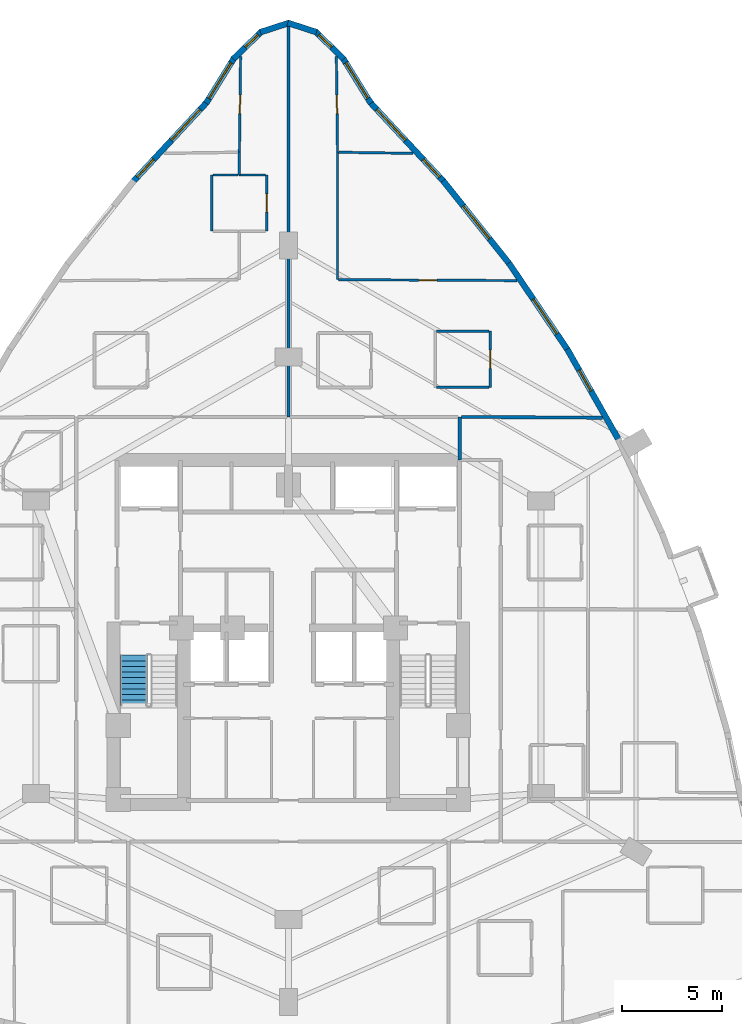
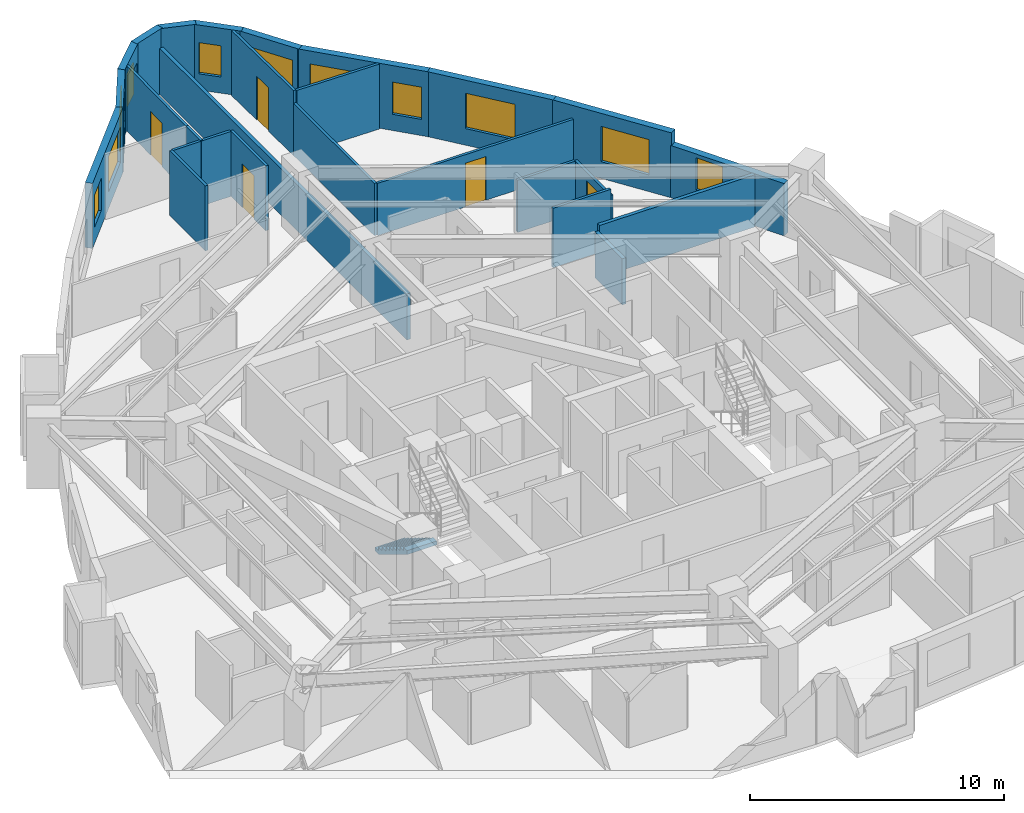
# One storey, part 11 of 13: 27 walls, 11 windows, 5 doors, 1 stair flight, 16 openings, 1 element without a shape of its own.
"""IFC4 building model written with IfcOpenShell, lengths in metres."""

from ifc_helpers import new_model, si_unit, direction, frame, frame_2d, origin, place, context, subcontext, project, spatial, polyline, rectangle, outline, extrude, material, layer, layer_set, type_object, element, fill, aggregate, save


model = new_model("IFC4")

# Units and contexts
model_context = context("Model", 3, precision=1e-05, world=origin(), true_north=direction((0.0, 1.0)))
body_context = subcontext(model_context, "Body", "Model", "MODEL_VIEW")
ifc_project = project(units=[si_unit("LENGTHUNIT", "METRE"), si_unit("AREAUNIT", "SQUARE_METRE"), si_unit("VOLUMEUNIT", "CUBIC_METRE"), si_unit("PLANEANGLEUNIT", "RADIAN"), si_unit("MASSUNIT", "GRAM", prefix="KILO")], contexts=[model_context])

# Site, building, storey
site_placement = place(None, origin())
site = spatial("IfcSite", under=ifc_project, at=site_placement, CompositionType="ELEMENT")
building_placement = place(site_placement, origin())
building = spatial("IfcBuilding", under=site, at=building_placement, Name="Miruveldt Soraemaru", CompositionType="ELEMENT")
storey_placement = place(building_placement, frame((0.0, 0.0, 70.0)))
storey = spatial("IfcBuildingStorey", under=building, at=storey_placement, Name="L19", CompositionType="ELEMENT", Elevation=70.0)

# Wall, opening, window
ifc_material_1 = material(Name="Precast concrete C45/55 (45 MPa)", Category="concrete")
ifc_layer_1 = layer(ifc_material_1, 0.300048828125, Name="Precast concrete C45/55 (45 MPa)", Category="concrete")
ifc_layer_set_1 = layer_set([ifc_layer_1], Name="Precast concrete C45/55 (45 MPa)")
wall_type_1 = type_object("IfcWallType", Name="WALL-EXT-PC300", PredefinedType="SOLIDWALL", material=ifc_layer_set_1)
wall_1_placement = place(storey_placement, frame((48.114990234375, 70.26220703125, 0.0), z_axis=(0.0, 0.0, 1.0), x_axis=(-0.526058210972, 0.850448563212, 0.0)))
wall_1 = element("IfcWall", 1, at=wall_1_placement, inside=storey, type_object=wall_type_1, Name="L19 Precast Concrete Facade Wall 1", PredefinedType="SOLIDWALL", context=body_context, shape_type="SweptSolid", body=[
    extrude(rectangle(XDim=2.665771484375, YDim=0.300048828125, at=frame_2d((1.3330078125, 0.0))), origin(), (0.0, 0.0, 1.0), 3.125),
])
opening_1_placement = place(wall_1_placement, frame((0.278076171875, 0.0, 0.800048828125)))
opening_1 = element("IfcOpeningElement", 2, at=opening_1_placement, cuts=wall_1, Name="Opening WN-1", PredefinedType="OPENING", context=body_context, shape_type="SweptSolid", body=[
    extrude(rectangle(XDim=2.10009765625, YDim=1.699951171875, at=frame_2d((1.050048828125, 0.85009765625))), frame((0.0, 0.16015625, 0.0), z_axis=(0.0, -1.0, 0.0), x_axis=(1.0, 0.0, 0.0)), (0.0, 0.0, 1.0), 0.320068359375),
])
ifc_material_2 = material(Name="Triple low-e insulated glazing", Category="glass")
window_type_1 = type_object("IfcWindowType", Name="WIN-PUNCH-2100x1700", PartitioningType="SINGLE_PANEL", PredefinedType="WINDOW", material=ifc_material_2)
window_1_placement = place(opening_1_placement, origin())
window_1 = element("IfcWindow", 3, at=window_1_placement, inside=storey, type_object=window_type_1, Name="L19 Punched Triple-Glazed Window 01.1", OverallHeight=1.699951171875, OverallWidth=2.10009765625, PartitioningType="SINGLE_PANEL", PredefinedType="WINDOW", context=body_context, shape_type="SweptSolid", body=[
    extrude(rectangle(XDim=2.10009765625, YDim=1.699951171875, at=frame_2d((1.050048828125, 0.85009765625))), frame((0.0, 0.030029296875, 0.0), z_axis=(0.0, -1.0, 0.0), x_axis=(1.0, 0.0, 0.0)), (0.0, 0.0, 1.0), 0.06005859375),
])
fill(opening_1, window_1)

wall_2_placement = place(storey_placement, frame((46.756103515625, 72.47509765625, 0.0), z_axis=(0.0, 0.0, 1.0), x_axis=(-0.717793535673, 0.696256016237, 0.0)))
wall_2 = element("IfcWall", 4, at=wall_2_placement, inside=storey, type_object=wall_type_1, Name="L19 Precast Concrete Facade Wall 2", PredefinedType="SOLIDWALL", context=body_context, shape_type="SweptSolid", body=[
    extrude(rectangle(XDim=1.972412109375, YDim=0.300048828125, at=frame_2d((0.986328125, 0.0))), origin(), (0.0, 0.0, 1.0), 3.125),
])
opening_2_placement = place(wall_2_placement, frame((0.8310546875, 0.0, 0.780029296875)))
opening_2 = element("IfcOpeningElement", 5, at=opening_2_placement, cuts=wall_2, Name="Opening WN-7", PredefinedType="OPENING", context=body_context, shape_type="SweptSolid", body=[
    extrude(rectangle(XDim=0.89990234375, YDim=1.5, at=frame_2d((0.449951171875, 0.75))), frame((0.0, 0.16015625, 0.0), z_axis=(0.0, -1.0, 0.0), x_axis=(1.0, 0.0, 0.0)), (0.0, 0.0, 1.0), 0.320068359375),
])
window_type_2 = type_object("IfcWindowType", Name="WIN-PUNCH-900x1500", PartitioningType="SINGLE_PANEL", PredefinedType="WINDOW", material=ifc_material_2)
window_2_placement = place(opening_2_placement, origin())
window_2 = element("IfcWindow", 6, at=window_2_placement, inside=storey, type_object=window_type_2, Name="L19 Punched Triple-Glazed Window 02.1", OverallHeight=1.5, OverallWidth=0.89990234375, PartitioningType="SINGLE_PANEL", PredefinedType="WINDOW", context=body_context, shape_type="SweptSolid", body=[
    extrude(rectangle(XDim=0.89990234375, YDim=1.5, at=frame_2d((0.449951171875, 0.75))), frame((0.0, 0.030029296875, 0.0), z_axis=(0.0, -1.0, 0.0), x_axis=(1.0, 0.0, 0.0)), (0.0, 0.0, 1.0), 0.06005859375),
])
fill(opening_2, window_2)

# Walls
for number, where, z_axis, x_axis, name in (
    (7, (45.398681640625, 73.813232421875, 0.0), (0.0, 0.0, 1.0), (-0.951468271923, 0.307746856238, 0.0), "L19 Precast Concrete Facade Wall 3"),
    (8, (44.033203125, 74.2763671875, 0.0), (0.0, 0.0, 1.0), (-0.951468271923, -0.307746856238, 0.0), "L19 Precast Concrete Facade Wall 4"),
):
    element("IfcWall", number, at=place(storey_placement, frame(where, z_axis=z_axis, x_axis=x_axis)), inside=storey, type_object=wall_type_1, Name=name, PredefinedType="SOLIDWALL", context=body_context, shape_type="SweptSolid", body=[
        extrude(rectangle(XDim=1.5048828125, YDim=0.300048828125, at=frame_2d((0.75244140625, 0.0))), origin(), (0.0, 0.0, 1.0), 3.125),
    ])

# Wall, opening, window
wall_3_placement = place(storey_placement, frame((42.65966796875, 73.848388671875, 0.0), z_axis=(0.0, 0.0, 1.0), x_axis=(-0.717793535673, -0.696256016237, 0.0)))
wall_3 = element("IfcWall", 9, at=wall_3_placement, inside=storey, type_object=wall_type_1, Name="L19 Precast Concrete Facade Wall 5", PredefinedType="SOLIDWALL", context=body_context, shape_type="SweptSolid", body=[
    extrude(rectangle(XDim=1.972412109375, YDim=0.300048828125, at=frame_2d((0.986328125, 0.0))), origin(), (0.0, 0.0, 1.0), 3.125),
])
opening_3_placement = place(wall_3_placement, frame((0.240966796875, 0.0, 0.780029296875)))
opening_3 = element("IfcOpeningElement", 10, at=opening_3_placement, cuts=wall_3, Name="Opening WN-7", PredefinedType="OPENING", context=body_context, shape_type="SweptSolid", body=[
    extrude(rectangle(XDim=0.89990234375, YDim=1.5, at=frame_2d((0.449951171875, 0.75))), frame((0.0, 0.16015625, 0.0), z_axis=(0.0, -1.0, 0.0), x_axis=(1.0, 0.0, 0.0)), (0.0, 0.0, 1.0), 0.320068359375),
])
window_3_placement = place(opening_3_placement, origin())
window_3 = element("IfcWindow", 11, at=window_3_placement, inside=storey, type_object=window_type_2, Name="L19 Punched Triple-Glazed Window 05.1", OverallHeight=1.5, OverallWidth=0.89990234375, PartitioningType="SINGLE_PANEL", PredefinedType="WINDOW", context=body_context, shape_type="SweptSolid", body=[
    extrude(rectangle(XDim=0.89990234375, YDim=1.5, at=frame_2d((0.449951171875, 0.75))), frame((0.0, 0.030029296875, 0.0), z_axis=(0.0, -1.0, 0.0), x_axis=(1.0, 0.0, 0.0)), (0.0, 0.0, 1.0), 0.06005859375),
])
fill(opening_3, window_3)

wall_4_placement = place(storey_placement, frame((41.287353515625, 72.529296875, 0.0), z_axis=(0.0, 0.0, 1.0), x_axis=(-0.526058210972, -0.850448563212, 0.0)))
wall_4 = element("IfcWall", 12, at=wall_4_placement, inside=storey, type_object=wall_type_1, Name="L19 Precast Concrete Facade Wall 6", PredefinedType="SOLIDWALL", context=body_context, shape_type="SweptSolid", body=[
    extrude(rectangle(XDim=2.665771484375, YDim=0.300048828125, at=frame_2d((1.3330078125, 0.0))), origin(), (0.0, 0.0, 1.0), 3.125),
])
opening_4_placement = place(wall_4_placement, frame((0.2880859375, 0.0, 0.800048828125)))
opening_4 = element("IfcOpeningElement", 13, at=opening_4_placement, cuts=wall_4, Name="Opening WN-1", PredefinedType="OPENING", context=body_context, shape_type="SweptSolid", body=[
    extrude(rectangle(XDim=2.10009765625, YDim=1.699951171875, at=frame_2d((1.050048828125, 0.85009765625))), frame((0.0, 0.16015625, 0.0), z_axis=(0.0, -1.0, 0.0), x_axis=(1.0, 0.0, 0.0)), (0.0, 0.0, 1.0), 0.320068359375),
])
window_4_placement = place(opening_4_placement, origin())
window_4 = element("IfcWindow", 14, at=window_4_placement, inside=storey, type_object=window_type_1, Name="L19 Punched Triple-Glazed Window 06.1", OverallHeight=1.699951171875, OverallWidth=2.10009765625, PartitioningType="SINGLE_PANEL", PredefinedType="WINDOW", context=body_context, shape_type="SweptSolid", body=[
    extrude(rectangle(XDim=2.10009765625, YDim=1.699951171875, at=frame_2d((1.050048828125, 0.85009765625))), frame((0.0, 0.030029296875, 0.0), z_axis=(0.0, -1.0, 0.0), x_axis=(1.0, 0.0, 0.0)), (0.0, 0.0, 1.0), 0.06005859375),
])
fill(opening_4, window_4)

# Wall, openings, windows
wall_5_placement = place(storey_placement, frame((39.92724609375, 70.317626953125, 0.0), z_axis=(0.0, 0.0, 1.0), x_axis=(-0.680892924908, -0.732382976871, 0.0)))
wall_5 = element("IfcWall", 15, at=wall_5_placement, inside=storey, type_object=wall_type_1, Name="L19 Precast Concrete Facade Wall 7", PredefinedType="SOLIDWALL", context=body_context, shape_type="SweptSolid", body=[
    extrude(rectangle(XDim=5.42431640625, YDim=0.300048828125, at=frame_2d((2.712158203125, 0.0))), origin(), (0.0, 0.0, 1.0), 3.125),
])
opening_5_placement = place(wall_5_placement, frame((0.5, 0.0, 0.800048828125)))
opening_5 = element("IfcOpeningElement", 16, at=opening_5_placement, cuts=wall_5, Name="Opening WN-1", PredefinedType="OPENING", context=body_context, shape_type="SweptSolid", body=[
    extrude(rectangle(XDim=2.10009765625, YDim=1.699951171875, at=frame_2d((1.050048828125, 0.85009765625))), frame((0.0, 0.16015625, 0.0), z_axis=(0.0, -1.0, 0.0), x_axis=(1.0, 0.0, 0.0)), (0.0, 0.0, 1.0), 0.320068359375),
])
opening_6_placement = place(wall_5_placement, frame((3.902099609375, 0.0, 0.780029296875)))
opening_6 = element("IfcOpeningElement", 17, at=opening_6_placement, cuts=wall_5, Name="Opening WN-4", PredefinedType="OPENING", context=body_context, shape_type="SweptSolid", body=[
    extrude(rectangle(XDim=1.199951171875, YDim=1.550048828125, at=frame_2d((0.60009765625, 0.77490234375))), frame((0.0, 0.16015625, 0.0), z_axis=(0.0, -1.0, 0.0), x_axis=(1.0, 0.0, 0.0)), (0.0, 0.0, 1.0), 0.320068359375),
])
window_type_3 = type_object("IfcWindowType", Name="WIN-PUNCH-1200x1550", PartitioningType="SINGLE_PANEL", PredefinedType="WINDOW", material=ifc_material_2)
window_5_placement = place(opening_6_placement, origin())
window_5 = element("IfcWindow", 18, at=window_5_placement, inside=storey, type_object=window_type_3, Name="L19 Punched Triple-Glazed Window 07.2", OverallHeight=1.550048828125, OverallWidth=1.199951171875, PartitioningType="SINGLE_PANEL", PredefinedType="WINDOW", context=body_context, shape_type="SweptSolid", body=[
    extrude(rectangle(XDim=1.199951171875, YDim=1.550048828125, at=frame_2d((0.60009765625, 0.77490234375))), frame((0.0, 0.030029296875, 0.0), z_axis=(0.0, -1.0, 0.0), x_axis=(1.0, 0.0, 0.0)), (0.0, 0.0, 1.0), 0.06005859375),
])
fill(opening_6, window_5)
window_6_placement = place(opening_5_placement, origin())
window_6 = element("IfcWindow", 19, at=window_6_placement, inside=storey, type_object=window_type_1, Name="L19 Punched Triple-Glazed Window 07.1", OverallHeight=1.699951171875, OverallWidth=2.10009765625, PartitioningType="SINGLE_PANEL", PredefinedType="WINDOW", context=body_context, shape_type="SweptSolid", body=[
    extrude(rectangle(XDim=2.10009765625, YDim=1.699951171875, at=frame_2d((1.050048828125, 0.85009765625))), frame((0.0, 0.030029296875, 0.0), z_axis=(0.0, -1.0, 0.0), x_axis=(1.0, 0.0, 0.0)), (0.0, 0.0, 1.0), 0.06005859375),
])
fill(opening_5, window_6)

# Wall, opening, window
wall_6_placement = place(storey_placement, frame((60.4970703125, 53.44140625, 0.0), z_axis=(0.0, 0.0, 1.0), x_axis=(-0.493356446913, 0.869827233587, 0.0)))
wall_6 = element("IfcWall", 20, at=wall_6_placement, inside=storey, type_object=wall_type_1, Name="L19 Precast Concrete Facade Wall 39", PredefinedType="SOLIDWALL", context=body_context, shape_type="SweptSolid", body=[
    extrude(rectangle(XDim=5.230224609375, YDim=0.300048828125, at=frame_2d((2.615234375, 0.0))), origin(), (0.0, 0.0, 1.0), 2.512939453125),
])
opening_7_placement = place(wall_6_placement, frame((2.824951171875, 0.0, 0.780029296875)))
opening_7 = element("IfcOpeningElement", 21, at=opening_7_placement, cuts=wall_6, Name="Opening WN-4", PredefinedType="OPENING", context=body_context, shape_type="SweptSolid", body=[
    extrude(rectangle(XDim=1.199951171875, YDim=1.550048828125, at=frame_2d((0.60009765625, 0.77490234375))), frame((0.0, 0.16015625, 0.0), z_axis=(0.0, -1.0, 0.0), x_axis=(1.0, 0.0, 0.0)), (0.0, 0.0, 1.0), 0.320068359375),
])
window_7_placement = place(opening_7_placement, origin())
window_7 = element("IfcWindow", 22, at=window_7_placement, inside=storey, type_object=window_type_3, Name="L19 Punched Triple-Glazed Window 39.1", OverallHeight=1.550048828125, OverallWidth=1.199951171875, PartitioningType="SINGLE_PANEL", PredefinedType="WINDOW", context=body_context, shape_type="SweptSolid", body=[
    extrude(rectangle(XDim=1.199951171875, YDim=1.550048828125, at=frame_2d((0.60009765625, 0.77490234375))), frame((0.0, 0.030029296875, 0.0), z_axis=(0.0, -1.0, 0.0), x_axis=(1.0, 0.0, 0.0)), (0.0, 0.0, 1.0), 0.06005859375),
])
fill(opening_7, window_7)

wall_7_placement = place(storey_placement, frame((57.95361328125, 57.931396484375, 0.0), z_axis=(0.0, 0.0, 1.0), x_axis=(-0.560829682514, 0.827931197148, 0.0)))
wall_7 = element("IfcWall", 23, at=wall_7_placement, inside=storey, type_object=wall_type_1, Name="L19 Precast Concrete Facade Wall 40", PredefinedType="SOLIDWALL", context=body_context, shape_type="SweptSolid", body=[
    extrude(rectangle(XDim=5.262939453125, YDim=0.300048828125, at=frame_2d((2.63134765625, 0.0))), origin(), (0.0, 0.0, 1.0), 3.125),
])
opening_8_placement = place(wall_7_placement, frame((0.98388671875, 0.0, 0.800048828125)))
opening_8 = element("IfcOpeningElement", 24, at=opening_8_placement, cuts=wall_7, Name="Opening WN-1", PredefinedType="OPENING", context=body_context, shape_type="SweptSolid", body=[
    extrude(rectangle(XDim=2.10009765625, YDim=1.699951171875, at=frame_2d((1.050048828125, 0.85009765625))), frame((0.0, 0.16015625, 0.0), z_axis=(0.0, -1.0, 0.0), x_axis=(1.0, 0.0, 0.0)), (0.0, 0.0, 1.0), 0.320068359375),
])
window_8_placement = place(opening_8_placement, origin())
window_8 = element("IfcWindow", 25, at=window_8_placement, inside=storey, type_object=window_type_1, Name="L19 Punched Triple-Glazed Window 40.1", OverallHeight=1.699951171875, OverallWidth=2.10009765625, PartitioningType="SINGLE_PANEL", PredefinedType="WINDOW", context=body_context, shape_type="SweptSolid", body=[
    extrude(rectangle(XDim=2.10009765625, YDim=1.699951171875, at=frame_2d((1.050048828125, 0.85009765625))), frame((0.0, 0.030029296875, 0.0), z_axis=(0.0, -1.0, 0.0), x_axis=(1.0, 0.0, 0.0)), (0.0, 0.0, 1.0), 0.06005859375),
])
fill(opening_8, window_8)

wall_8_placement = place(storey_placement, frame((55.043212890625, 62.232421875, 0.0), z_axis=(0.0, 0.0, 1.0), x_axis=(-0.623588074448, 0.781753102588, 0.0)))
wall_8 = element("IfcWall", 26, at=wall_8_placement, inside=storey, type_object=wall_type_1, Name="L19 Precast Concrete Facade Wall 41", PredefinedType="SOLIDWALL", context=body_context, shape_type="SweptSolid", body=[
    extrude(rectangle(XDim=5.328369140625, YDim=0.300048828125, at=frame_2d((2.6640625, 0.0))), origin(), (0.0, 0.0, 1.0), 3.125),
])
opening_9_placement = place(wall_8_placement, frame((1.614013671875, 0.0, 0.800048828125)))
opening_9 = element("IfcOpeningElement", 27, at=opening_9_placement, cuts=wall_8, Name="Opening WN-1", PredefinedType="OPENING", context=body_context, shape_type="SweptSolid", body=[
    extrude(rectangle(XDim=2.10009765625, YDim=1.699951171875, at=frame_2d((1.050048828125, 0.85009765625))), frame((0.0, 0.16015625, 0.0), z_axis=(0.0, -1.0, 0.0), x_axis=(1.0, 0.0, 0.0)), (0.0, 0.0, 1.0), 0.320068359375),
])
window_9_placement = place(opening_9_placement, origin())
window_9 = element("IfcWindow", 28, at=window_9_placement, inside=storey, type_object=window_type_1, Name="L19 Punched Triple-Glazed Window 41.1", OverallHeight=1.699951171875, OverallWidth=2.10009765625, PartitioningType="SINGLE_PANEL", PredefinedType="WINDOW", context=body_context, shape_type="SweptSolid", body=[
    extrude(rectangle(XDim=2.10009765625, YDim=1.699951171875, at=frame_2d((1.050048828125, 0.85009765625))), frame((0.0, 0.030029296875, 0.0), z_axis=(0.0, -1.0, 0.0), x_axis=(1.0, 0.0, 0.0)), (0.0, 0.0, 1.0), 0.06005859375),
])
fill(opening_9, window_9)

# Wall, openings, windows
wall_9_placement = place(storey_placement, frame((51.76611328125, 66.344970703125, 0.0), z_axis=(0.0, 0.0, 1.0), x_axis=(-0.680892924908, 0.732382976871, 0.0)))
wall_9 = element("IfcWall", 29, at=wall_9_placement, inside=storey, type_object=wall_type_1, Name="L19 Precast Concrete Facade Wall 42", PredefinedType="SOLIDWALL", context=body_context, shape_type="SweptSolid", body=[
    extrude(rectangle(XDim=5.42431640625, YDim=0.300048828125, at=frame_2d((2.712158203125, 0.0))), origin(), (0.0, 0.0, 1.0), 3.125),
])
opening_10_placement = place(wall_9_placement, frame((0.322021484375, 0.0, 0.780029296875)))
opening_10 = element("IfcOpeningElement", 30, at=opening_10_placement, cuts=wall_9, Name="Opening WN-4", PredefinedType="OPENING", context=body_context, shape_type="SweptSolid", body=[
    extrude(rectangle(XDim=1.199951171875, YDim=1.550048828125, at=frame_2d((0.60009765625, 0.77490234375))), frame((0.0, 0.16015625, 0.0), z_axis=(0.0, -1.0, 0.0), x_axis=(1.0, 0.0, 0.0)), (0.0, 0.0, 1.0), 0.320068359375),
])
opening_11_placement = place(wall_9_placement, frame((2.823974609375, 0.0, 0.800048828125)))
opening_11 = element("IfcOpeningElement", 31, at=opening_11_placement, cuts=wall_9, Name="Opening WN-1", PredefinedType="OPENING", context=body_context, shape_type="SweptSolid", body=[
    extrude(rectangle(XDim=2.10009765625, YDim=1.699951171875, at=frame_2d((1.050048828125, 0.85009765625))), frame((0.0, 0.16015625, 0.0), z_axis=(0.0, -1.0, 0.0), x_axis=(1.0, 0.0, 0.0)), (0.0, 0.0, 1.0), 0.320068359375),
])
window_10_placement = place(opening_10_placement, origin())
window_10 = element("IfcWindow", 32, at=window_10_placement, inside=storey, type_object=window_type_3, Name="L19 Punched Triple-Glazed Window 42.1", OverallHeight=1.550048828125, OverallWidth=1.199951171875, PartitioningType="SINGLE_PANEL", PredefinedType="WINDOW", context=body_context, shape_type="SweptSolid", body=[
    extrude(rectangle(XDim=1.199951171875, YDim=1.550048828125, at=frame_2d((0.60009765625, 0.77490234375))), frame((0.0, 0.030029296875, 0.0), z_axis=(0.0, -1.0, 0.0), x_axis=(1.0, 0.0, 0.0)), (0.0, 0.0, 1.0), 0.06005859375),
])
fill(opening_10, window_10)
window_11_placement = place(opening_11_placement, origin())
window_11 = element("IfcWindow", 33, at=window_11_placement, inside=storey, type_object=window_type_1, Name="L19 Punched Triple-Glazed Window 42.2", OverallHeight=1.699951171875, OverallWidth=2.10009765625, PartitioningType="SINGLE_PANEL", PredefinedType="WINDOW", context=body_context, shape_type="SweptSolid", body=[
    extrude(rectangle(XDim=2.10009765625, YDim=1.699951171875, at=frame_2d((1.050048828125, 0.85009765625))), frame((0.0, 0.030029296875, 0.0), z_axis=(0.0, -1.0, 0.0), x_axis=(1.0, 0.0, 0.0)), (0.0, 0.0, 1.0), 0.06005859375),
])
fill(opening_11, window_11)

# Wall, opening, door
ifc_material_3 = material(Name="Gypsum plasterboard lining", Category="gypsum")
ifc_layer_2 = layer(ifc_material_3, 0.1201171875, Name="Gypsum plasterboard lining", Category="gypsum")
ifc_layer_set_2 = layer_set([ifc_layer_2], Name="Gypsum plasterboard lining")
wall_type_2 = type_object("IfcWallType", Name="WALL-INT-P120", PredefinedType="PARTITIONING", material=ifc_layer_set_2)
wall_10_placement = place(storey_placement, frame((55.40087890625, 61.406005859375, 0.0), z_axis=(0.0, 0.0, 1.0), x_axis=(-0.999986101911, 0.00527218968, 0.0)))
wall_10 = element("IfcWall", 34, at=wall_10_placement, inside=storey, type_object=wall_type_2, Name="L19 Partition Wall 37", PredefinedType="PARTITIONING", context=body_context, shape_type="SweptSolid", body=[
    extrude(rectangle(XDim=8.89111328125, YDim=0.1201171875, at=frame_2d((4.445556640625, 0.0))), origin(), (0.0, 0.0, 1.0), 2.512939453125),
])
opening_12_placement = place(wall_10_placement, frame((3.986083984375, 0.0, 0.0)))
opening_12 = element("IfcOpeningElement", 35, at=opening_12_placement, cuts=wall_10, Name="Opening D3A", PredefinedType="OPENING", context=body_context, shape_type="SweptSolid", body=[
    extrude(rectangle(XDim=0.919921875, YDim=2.10009765625, at=frame_2d((0.4599609375, 1.050048828125))), frame((0.0, 0.070068359375, 0.0), z_axis=(0.0, -1.0, 0.0), x_axis=(1.0, 0.0, 0.0)), (0.0, 0.0, 1.0), 0.14013671875),
])
ifc_material_4 = material(Name="Anodised aluminium EN AW-6063 T6", Category="aluminium")
door_type = type_object("IfcDoorType", Name="DOOR-INT-920", OperationType="NOTDEFINED", PredefinedType="DOOR", material=ifc_material_4)
door_1_placement = place(opening_12_placement, origin())
door_1 = element("IfcDoor", 36, at=door_1_placement, inside=storey, type_object=door_type, Name="L19 Unit 1902 BD1 Door", OperationType="SINGLE_SWING_LEFT", OverallHeight=2.10009765625, OverallWidth=0.919921875, PredefinedType="DOOR", context=body_context, shape_type="SweptSolid", body=[
    extrude(rectangle(XDim=0.919921875, YDim=2.10009765625, at=frame_2d((0.4599609375, 1.050048828125))), frame((0.0, 0.02490234375, 0.0), z_axis=(0.0, -1.0, 0.0), x_axis=(1.0, 0.0, 0.0)), (0.0, 0.0, 1.0), 0.050048828125),
])
fill(opening_12, door_1)

wall_11_placement = place(storey_placement, frame((41.60888671875, 72.60009765625, 0.0), z_axis=(0.0, 0.0, 1.0), x_axis=(-0.012300008618, -0.999924352033, 0.0)))
wall_11 = element("IfcWall", 37, at=wall_11_placement, inside=storey, type_object=wall_type_2, Name="L19 Partition Wall 22", PredefinedType="PARTITIONING", context=body_context, shape_type="SweptSolid", body=[
    extrude(rectangle(XDim=4.783447265625, YDim=0.1201171875, at=frame_2d((2.3916015625, 0.0))), origin(), (0.0, 0.0, 1.0), 3.125),
])
opening_13_placement = place(wall_11_placement, frame((1.931884765625, 0.0, 0.0)))
opening_13 = element("IfcOpeningElement", 38, at=opening_13_placement, cuts=wall_11, Name="Opening D3A", PredefinedType="OPENING", context=body_context, shape_type="SweptSolid", body=[
    extrude(rectangle(XDim=0.919921875, YDim=2.10009765625, at=frame_2d((0.4599609375, 1.050048828125))), frame((0.0, 0.070068359375, 0.0), z_axis=(0.0, -1.0, 0.0), x_axis=(1.0, 0.0, 0.0)), (0.0, 0.0, 1.0), 0.14013671875),
])
door_2_placement = place(opening_13_placement, origin())
door_2 = element("IfcDoor", 39, at=door_2_placement, inside=storey, type_object=door_type, Name="L19 Unit 1901 EXT Door", OperationType="SINGLE_SWING_LEFT", OverallHeight=2.10009765625, OverallWidth=0.919921875, PredefinedType="DOOR", context=body_context, shape_type="SweptSolid", body=[
    extrude(rectangle(XDim=0.919921875, YDim=2.10009765625, at=frame_2d((0.4599609375, 1.050048828125))), frame((0.0, 0.02490234375, 0.0), z_axis=(0.0, -1.0, 0.0), x_axis=(1.0, 0.0, 0.0)), (0.0, 0.0, 1.0), 0.050048828125),
])
fill(opening_13, door_2)

wall_12_placement = place(storey_placement, frame((46.449951171875, 67.81689453125, 0.0), z_axis=(0.0, 0.0, 1.0), x_axis=(-0.012300008618, 0.999924352033, 0.0)))
wall_12 = element("IfcWall", 40, at=wall_12_placement, inside=storey, type_object=wall_type_2, Name="L19 Partition Wall 39", PredefinedType="PARTITIONING", context=body_context, shape_type="SweptSolid", body=[
    extrude(rectangle(XDim=4.783447265625, YDim=0.1201171875, at=frame_2d((2.3916015625, 0.0))), origin(), (0.0, 0.0, 1.0), 3.125),
])
opening_14_placement = place(wall_12_placement, frame((1.931884765625, 0.0, 0.0)))
opening_14 = element("IfcOpeningElement", 41, at=opening_14_placement, cuts=wall_12, Name="Opening D3A", PredefinedType="OPENING", context=body_context, shape_type="SweptSolid", body=[
    extrude(rectangle(XDim=0.919921875, YDim=2.10009765625, at=frame_2d((0.4599609375, 1.050048828125))), frame((0.0, 0.070068359375, 0.0), z_axis=(0.0, -1.0, 0.0), x_axis=(1.0, 0.0, 0.0)), (0.0, 0.0, 1.0), 0.14013671875),
])
door_3_placement = place(opening_14_placement, origin())
door_3 = element("IfcDoor", 42, at=door_3_placement, inside=storey, type_object=door_type, Name="L19 Unit 1902 EXT Door", OperationType="SINGLE_SWING_RIGHT", OverallHeight=2.10009765625, OverallWidth=0.919921875, PredefinedType="DOOR", context=body_context, shape_type="SweptSolid", body=[
    extrude(rectangle(XDim=0.919921875, YDim=2.10009765625, at=frame_2d((0.4599609375, 1.050048828125))), frame((0.0, 0.02490234375, 0.0), z_axis=(0.0, -1.0, 0.0), x_axis=(1.0, 0.0, 0.0)), (0.0, 0.0, 1.0), 0.050048828125),
])
fill(opening_14, door_3)

wall_13_placement = place(storey_placement, frame((42.912109375, 63.8798828125, 0.0), z_axis=(0.0, 0.0, 1.0), x_axis=(0.0, 1.0, 0.0)))
wall_13 = element("IfcWall", 43, at=wall_13_placement, inside=storey, type_object=wall_type_2, Name="L19 Partition Wall 16", PredefinedType="PARTITIONING", context=body_context, shape_type="SweptSolid", body=[
    extrude(rectangle(XDim=2.800048828125, YDim=0.1201171875, at=frame_2d((1.39990234375, 0.0))), origin(), (0.0, 0.0, 1.0), 3.125),
])
opening_15_placement = place(wall_13_placement, frame((0.93994140625, 0.0, 0.0)))
opening_15 = element("IfcOpeningElement", 44, at=opening_15_placement, cuts=wall_13, Name="Opening D3A", PredefinedType="OPENING", context=body_context, shape_type="SweptSolid", body=[
    extrude(rectangle(XDim=0.919921875, YDim=2.10009765625, at=frame_2d((0.4599609375, 1.050048828125))), frame((0.0, 0.070068359375, 0.0), z_axis=(0.0, -1.0, 0.0), x_axis=(1.0, 0.0, 0.0)), (0.0, 0.0, 1.0), 0.14013671875),
])
door_4_placement = place(opening_15_placement, origin())
door_4 = element("IfcDoor", 45, at=door_4_placement, inside=storey, type_object=door_type, Name="L19 Unit 1901 KIT Door", OperationType="SINGLE_SWING_LEFT", OverallHeight=2.10009765625, OverallWidth=0.919921875, PredefinedType="DOOR", context=body_context, shape_type="SweptSolid", body=[
    extrude(rectangle(XDim=0.919921875, YDim=2.10009765625, at=frame_2d((0.4599609375, 1.050048828125))), frame((0.0, 0.02490234375, 0.0), z_axis=(0.0, -1.0, 0.0), x_axis=(1.0, 0.0, 0.0)), (0.0, 0.0, 1.0), 0.050048828125),
])
fill(opening_15, door_4)

wall_14_placement = place(storey_placement, frame((54.080078125, 56.080078125, 0.0), z_axis=(0.0, 0.0, 1.0), x_axis=(0.0, 1.0, 0.0)))
wall_14 = element("IfcWall", 46, at=wall_14_placement, inside=storey, type_object=wall_type_2, Name="L19 Partition Wall 33", PredefinedType="PARTITIONING", context=body_context, shape_type="SweptSolid", body=[
    extrude(rectangle(XDim=2.7998046875, YDim=0.1201171875, at=frame_2d((1.39990234375, 0.0))), origin(), (0.0, 0.0, 1.0), 2.512939453125),
])
opening_16_placement = place(wall_14_placement, frame((0.93994140625, 0.0, 0.0)))
opening_16 = element("IfcOpeningElement", 47, at=opening_16_placement, cuts=wall_14, Name="Opening D3A", PredefinedType="OPENING", context=body_context, shape_type="SweptSolid", body=[
    extrude(rectangle(XDim=0.919921875, YDim=2.10009765625, at=frame_2d((0.4599609375, 1.050048828125))), frame((0.0, 0.070068359375, 0.0), z_axis=(0.0, -1.0, 0.0), x_axis=(1.0, 0.0, 0.0)), (0.0, 0.0, 1.0), 0.14013671875),
])
door_5_placement = place(opening_16_placement, origin())
door_5 = element("IfcDoor", 48, at=door_5_placement, inside=storey, type_object=door_type, Name="L19 Unit 1902 KIT Door", OperationType="SINGLE_SWING_RIGHT", OverallHeight=2.10009765625, OverallWidth=0.919921875, PredefinedType="DOOR", context=body_context, shape_type="SweptSolid", body=[
    extrude(rectangle(XDim=0.919921875, YDim=2.10009765625, at=frame_2d((0.4599609375, 1.050048828125))), frame((0.0, 0.02490234375, 0.0), z_axis=(0.0, -1.0, 0.0), x_axis=(1.0, 0.0, 0.0)), (0.0, 0.0, 1.0), 0.050048828125),
])
fill(opening_16, door_5)

# Walls
wall_15_placement = place(storey_placement, frame((46.449951171875, 61.452880859375, 0.0), z_axis=(0.0, 0.0, 1.0), x_axis=(0.0, 1.0, 0.0)))
element("IfcWall", 49, at=wall_15_placement, inside=storey, type_object=wall_type_2, Name="L19 Partition Wall 38", PredefinedType="PARTITIONING", context=body_context, shape_type="SweptSolid", body=[
    extrude(rectangle(XDim=6.364013671875, YDim=0.1201171875, at=frame_2d((3.18212890625, 0.0))), origin(), (0.0, 0.0, 1.0), 2.512939453125),
])
wall_16_placement = place(storey_placement, frame((50.22607421875, 67.759033203125, 0.0), z_axis=(0.0, 0.0, 1.0), x_axis=(-0.999882856241, 0.015306005223, 0.0)))
element("IfcWall", 50, at=wall_16_placement, inside=storey, type_object=wall_type_2, Name="L19 Partition Wall 41", PredefinedType="PARTITIONING", context=body_context, shape_type="SweptSolid", body=[
    extrude(rectangle(XDim=3.716552734375, YDim=0.1201171875, at=frame_2d((1.8583984375, 0.0))), origin(), (0.0, 0.0, 1.0), 3.125),
])
wall_17_placement = place(storey_placement, frame((40.162109375, 66.679931640625, 0.0), z_axis=(0.0, 0.0, 1.0), x_axis=(0.0, -1.0, 0.0)))
element("IfcWall", 51, at=wall_17_placement, inside=storey, type_object=wall_type_2, Name="L19 Partition Wall 26", PredefinedType="PARTITIONING", context=body_context, shape_type="SweptSolid", body=[
    extrude(rectangle(XDim=2.800048828125, YDim=0.1201171875, at=frame_2d((1.39990234375, 0.0))), origin(), (0.0, 0.0, 1.0), 3.125),
])
wall_18_placement = place(storey_placement, frame((54.02001953125, 58.8798828125, 0.0), z_axis=(0.0, 0.0, 1.0), x_axis=(-1.0, 0.0, 0.0)))
element("IfcWall", 52, at=wall_18_placement, inside=storey, type_object=wall_type_2, Name="L19 Partition Wall 34", PredefinedType="PARTITIONING", context=body_context, shape_type="SweptSolid", body=[
    extrude(rectangle(XDim=2.630126953125, YDim=0.1201171875, at=frame_2d((1.31494140625, 0.0))), origin(), (0.0, 0.0, 1.0), 2.512939453125),
])
wall_19_placement = place(storey_placement, frame((51.389892578125, 56.080078125, 0.0), z_axis=(0.0, 0.0, 1.0), x_axis=(1.0, 0.0, 0.0)))
element("IfcWall", 53, at=wall_19_placement, inside=storey, type_object=wall_type_2, Name="L19 Partition Wall 36", PredefinedType="PARTITIONING", context=body_context, shape_type="SweptSolid", body=[
    extrude(rectangle(XDim=2.630126953125, YDim=0.1201171875, at=frame_2d((1.31494140625, 0.0))), origin(), (0.0, 0.0, 1.0), 2.863037109375),
])
wall_20_placement = place(storey_placement, frame((42.85205078125, 66.679931640625, 0.0), z_axis=(0.0, 0.0, 1.0), x_axis=(-1.0, 0.0, 0.0)))
element("IfcWall", 54, at=wall_20_placement, inside=storey, type_object=wall_type_2, Name="L19 Partition Wall 17", PredefinedType="PARTITIONING", context=body_context, shape_type="SweptSolid", body=[
    extrude(rectangle(XDim=1.33203125, YDim=0.1201171875, at=frame_2d((0.666015625, 0.0))), origin(), (0.0, 0.0, 1.0), 3.125),
])
wall_21_placement = place(storey_placement, frame((41.489990234375, 66.679931640625, 0.0), z_axis=(0.0, 0.0, 1.0), x_axis=(-1.0, 0.0, 0.0)))
element("IfcWall", 55, at=wall_21_placement, inside=storey, type_object=wall_type_2, Name="L19 Partition Wall 25", PredefinedType="PARTITIONING", context=body_context, shape_type="SweptSolid", body=[
    extrude(rectangle(XDim=1.26806640625, YDim=0.1201171875, at=frame_2d((0.634033203125, 0.0))), origin(), (0.0, 0.0, 1.0), 3.125),
])
wall_22_placement = place(storey_placement, frame((41.550048828125, 67.81689453125, 0.0), z_axis=(0.0, 0.0, 1.0), x_axis=(0.0, -1.0, 0.0)))
element("IfcWall", 56, at=wall_22_placement, inside=storey, type_object=wall_type_2, Name="L19 Partition Wall 19", PredefinedType="PARTITIONING", context=body_context, shape_type="SweptSolid", body=[
    extrude(rectangle(XDim=1.136962890625, YDim=0.1201171875, at=frame_2d((0.568359375, 0.0))), origin(), (0.0, 0.0, 1.0), 3.125),
])
ifc_material_5 = material(Name="Concrete C40/50 (40 MPa)", Category="concrete")
ifc_layer_3 = layer(ifc_material_5, 0.159912109375, Name="Concrete C40/50 (40 MPa)", Category="concrete")
ifc_layer_set_3 = layer_set([ifc_layer_3], Name="Concrete C40/50 (40 MPa)")
wall_type_3 = type_object("IfcWallType", Name="WALL-INT-RC160", PredefinedType="SOLIDWALL", material=ifc_layer_set_3)
wall_23_placement = place(storey_placement, frame((44.0, 54.60009765625, 0.0), z_axis=(0.0, 0.0, 1.0), x_axis=(0.0, 1.0, 0.0)))
element("IfcWall", 57, at=wall_23_placement, inside=storey, type_object=wall_type_3, Name="L19 Partition Wall 23", PredefinedType="SOLIDWALL", context=body_context, shape_type="SweptSolid", body=[
    extrude(rectangle(XDim=19.491943359375, YDim=0.159912109375, at=frame_2d((9.74609375, 0.0))), origin(), (0.0, 0.0, 1.0), 2.219970703125),
])
wall_24_placement = place(storey_placement, frame((52.633056640625, 54.60009765625, 0.0), z_axis=(0.0, 0.0, 1.0), x_axis=(0.999983028998, -0.005825951896, 0.0)))
element("IfcWall", 58, at=wall_24_placement, inside=storey, type_object=wall_type_3, Name="L19 Partition Wall 40", PredefinedType="SOLIDWALL", context=body_context, shape_type="SweptSolid", body=[
    extrude(rectangle(XDim=7.0400390625, YDim=0.159912109375, at=frame_2d((3.52001953125, 0.0))), origin(), (0.0, 0.0, 1.0), 2.512939453125),
])
wall_25_placement = place(storey_placement, frame((52.550048828125, 52.449951171875, 0.0), z_axis=(0.0, 0.0, 1.0), x_axis=(0.0, 1.0, 0.0)))
element("IfcWall", 59, at=wall_25_placement, inside=storey, type_object=wall_type_3, Name="L19 Partition Wall 7", PredefinedType="SOLIDWALL", context=body_context, shape_type="SweptSolid", body=[
    extrude(rectangle(XDim=2.14697265625, YDim=0.159912109375, at=frame_2d((1.073486328125, 0.0))), origin(), (0.0, 0.0, 1.0), 2.219970703125),
])

# Stair, stair flight
stair_type = type_object("IfcStairType", Name="STAIR-DL-340", PredefinedType="HALF_TURN_STAIR", material=ifc_material_5)
stair_placement = place(storey_placement, origin())
stair = element("IfcStair", 60, at=stair_placement, inside=storey, type_object=stair_type, Name="L19 Protected Exit Stair ST-1", PredefinedType="HALF_TURN_STAIR")
stair_flight_type = type_object("IfcStairFlightType", Name="SFL-DL-340", PredefinedType="STRAIGHT", material=ifc_material_5)
stair_flight_placement = place(storey_placement, frame((36.27490234375, 42.699951171875, 0.0), z_axis=(0.0, 0.0, 1.0), x_axis=(0.0, -1.0, 0.0)))
stair_flight = element("IfcStairFlight", 61, at=stair_flight_placement, type_object=stair_flight_type, Name="ST-1 flight 1", NumberOfRisers=10, NumberOfTreads=9, PredefinedType="STRAIGHT", RiserHeight=0.17, TreadLength=0.28, context=body_context, shape_type="SweptSolid", body=[
    extrude(outline(polyline([(0.0, 0.0), (0.0, 0.169921875), (0.280029296875, 0.169921875), (0.280029296875, 0.340087890625), (0.56005859375, 0.340087890625), (0.56005859375, 0.510009765625), (0.840087890625, 0.510009765625), (0.840087890625, 0.679931640625), (1.1201171875, 0.679931640625), (1.1201171875, 0.85009765625), (1.39990234375, 0.85009765625), (1.39990234375, 1.02001953125), (1.679931640625, 1.02001953125), (1.679931640625, 1.18994140625), (1.9599609375, 1.18994140625), (1.9599609375, 1.360107421875), (2.239990234375, 1.360107421875), (2.239990234375, 1.530029296875), (2.52001953125, 1.530029296875), (2.52001953125, 1.699951171875), (2.52001953125, 1.343017578125), (0.30810546875, 0.0), (0.0, 0.0)])), frame((0.0, 0.675048828125, 0.0), z_axis=(0.0, -1.0, 0.0), x_axis=(1.0, 0.0, 0.0)), (0.0, 0.0, 1.0), 1.35009765625),
])
aggregate(stair, [stair_flight])

save(model, "model.ifc")
